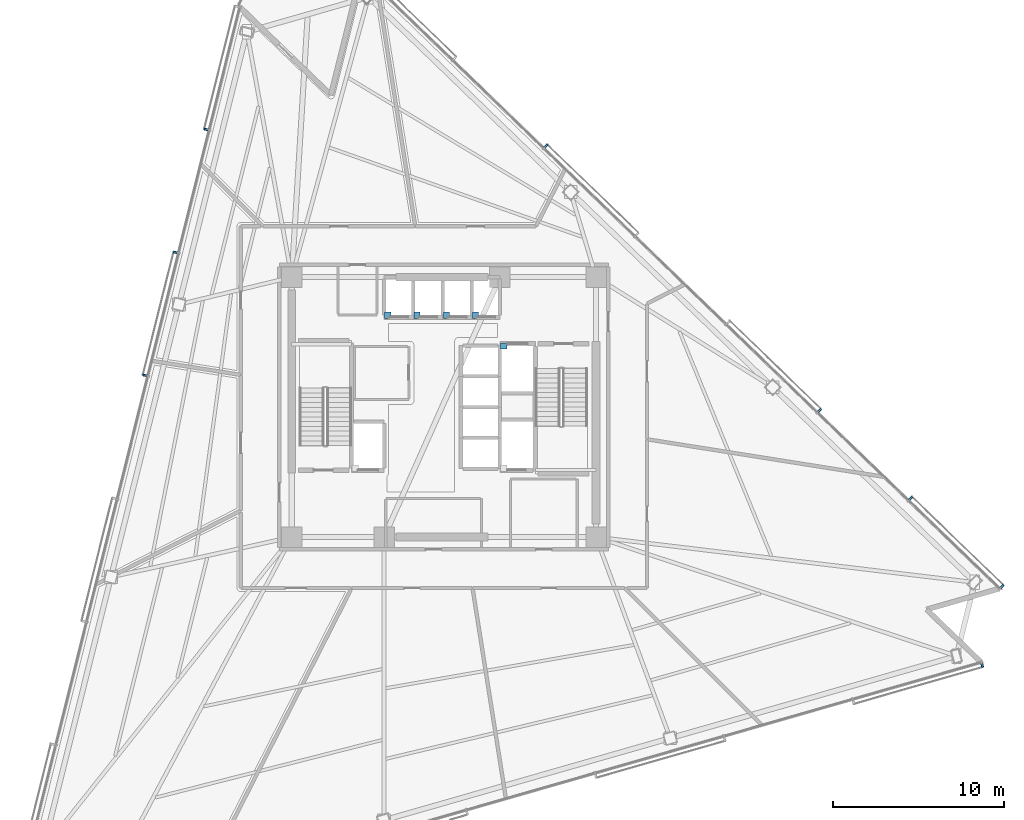
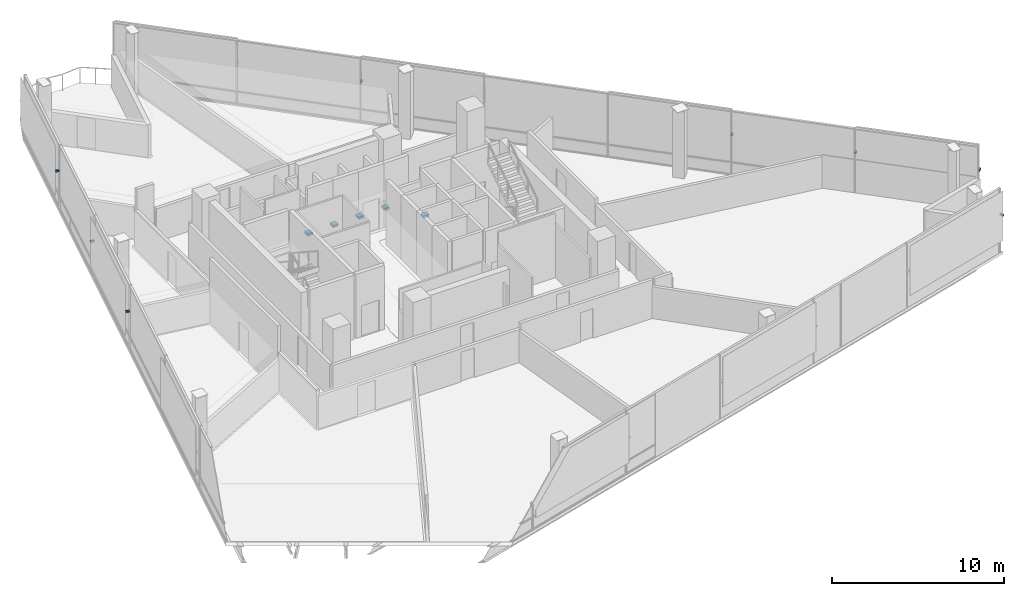
# One storey, part 13 of 18: 13 discrete accessories.
"""IFC4 building model written with IfcOpenShell, lengths in metres."""

from ifc_helpers import new_model, si_unit, direction, frame, origin, origin_2d, place, context, subcontext, project, spatial, rectangle, extrude, material, type_object, element, save


model = new_model("IFC4")

# Units and contexts
model_context = context("Model", 3, precision=1e-05, world=origin(), true_north=direction((0.0, 1.0)))
body_context = subcontext(model_context, "Body", "Model", "MODEL_VIEW")
ifc_project = project(units=[si_unit("LENGTHUNIT", "METRE"), si_unit("AREAUNIT", "SQUARE_METRE"), si_unit("VOLUMEUNIT", "CUBIC_METRE"), si_unit("PLANEANGLEUNIT", "RADIAN"), si_unit("MASSUNIT", "GRAM", prefix="KILO")], contexts=[model_context])

# Site, building, storey
site_placement = place(None, origin())
site = spatial("IfcSite", under=ifc_project, at=site_placement, CompositionType="ELEMENT")
building_placement = place(site_placement, origin())
building = spatial("IfcBuilding", under=site, at=building_placement, Name="Tharavind Bronze Gate", CompositionType="ELEMENT")
storey_placement = place(building_placement, frame((0.0, 0.0, 107.699951171875)))
storey = spatial("IfcBuildingStorey", under=building, at=storey_placement, Name="L27", CompositionType="ELEMENT", Elevation=107.699951171875)

# Discrete accessories
ifc_material_1 = material(Name="Galvanised Steel S355", Category="steel")
discrete_accessory_type_1 = type_object("IfcDiscreteAccessoryType", Name="LIFT GUIDE RAIL BRACKET", PredefinedType="BRACKET", material=ifc_material_1)
for number, where, z_axis, x_axis, name in (
    (1, (-3.280029296875, 5.3701171875, 1.1201171875), (0.0, 0.0, 1.0), (1.0, 0.0, 0.0), "Lift PL5 guide rail bracket at L27"),
    (2, (-1.5673828125, 5.3701171875, 1.1201171875), (0.0, 0.0, 1.0), (1.0, 0.0, 0.0), "Lift PL6 guide rail bracket at L27"),
    (3, (0.14501953125, 5.3701171875, 1.1201171875), (0.0, 0.0, 1.0), (1.0, 0.0, 0.0), "Lift PL7 guide rail bracket at L27"),
    (4, (1.857421875, 5.3701171875, 1.1201171875), (0.0, 0.0, 1.0), (1.0, 0.0, 0.0), "Lift PL8 guide rail bracket at L27"),
    (5, (3.5, 3.580078125, 1.1201171875), (0.0, 0.0, 1.0), (1.0, 0.0, 0.0), "Lift FFL2 guide rail bracket at L27"),
):
    element("IfcDiscreteAccessory", number, at=place(storey_placement, frame(where, z_axis=z_axis, x_axis=x_axis)), inside=storey, type_object=discrete_accessory_type_1, Name=name, PredefinedType="BRACKET", context=body_context, shape_type="SweptSolid", body=[
        extrude(rectangle(XDim=0.360107421875, YDim=0.360107421875, at=origin_2d()), origin(), (0.0, 0.0, 1.0), 0.159912109375),
    ])
ifc_material_2 = material(Name="Stainless Steel 316", Category="steel")
discrete_accessory_type_2 = type_object("IfcDiscreteAccessoryType", Name="SOLAR SCREEN STANDOFF BRACKET", PredefinedType="BRACKET", material=ifc_material_2)
for number, where, z_axis, x_axis, name in (
    (6, (-13.902099609375, 16.243896484375, 2.669921875), (0.0, 0.0, 1.0), (-0.2419218956, -0.970295726276, 0.0), "CW-L27-S1 solar screen bracket 1.2"),
    (7, (-15.69580078125, 9.0498046875, 2.669921875), (0.0, 0.0, 1.0), (-0.2419218956, -0.970295726276, 0.0), "CW-L27-S1 solar screen bracket 3.1"),
    (8, (-17.4892578125, 1.855712890625, 2.669921875), (0.0, 0.0, 1.0), (-0.2419218956, -0.970295726276, 0.0), "CW-L27-S1 solar screen bracket 3.2"),
    (9, (31.48828125, -15.099609375, 2.669921875), (0.0, 0.0, 1.0), (0.961261695938, 0.275637355817, 0.0), "CW-L27-S2 solar screen bracket 7.2"),
    (10, (32.637939453125, -10.489013671875, 2.669921875), (0.0, 0.0, 1.0), (-0.719341012745, 0.694657114973, 0.0), "CW-L27-S3 solar screen bracket 1.1"),
    (11, (27.3046875, -5.338623046875, 2.669921875), (0.0, 0.0, 1.0), (-0.719341012745, 0.694657114973, 0.0), "CW-L27-S3 solar screen bracket 1.2"),
    (12, (21.971435546875, -0.188232421875, 2.669921875), (0.0, 0.0, 1.0), (-0.719341012745, 0.694657114973, 0.0), "CW-L27-S3 solar screen bracket 3.1"),
    (13, (5.97119140625, 15.2626953125, 2.669921875), (0.0, 0.0, 1.0), (-0.719341012745, 0.694657114973, 0.0), "CW-L27-S3 solar screen bracket 5.2"),
):
    element("IfcDiscreteAccessory", number, at=place(storey_placement, frame(where, z_axis=z_axis, x_axis=x_axis)), inside=storey, type_object=discrete_accessory_type_2, Name=name, PredefinedType="BRACKET", context=body_context, shape_type="SweptSolid", body=[
        extrude(rectangle(XDim=0.1201171875, YDim=0.239990234375, at=origin_2d()), origin(), (0.0, 0.0, 1.0), 0.1201171875),
    ])

save(model, "model.ifc")
